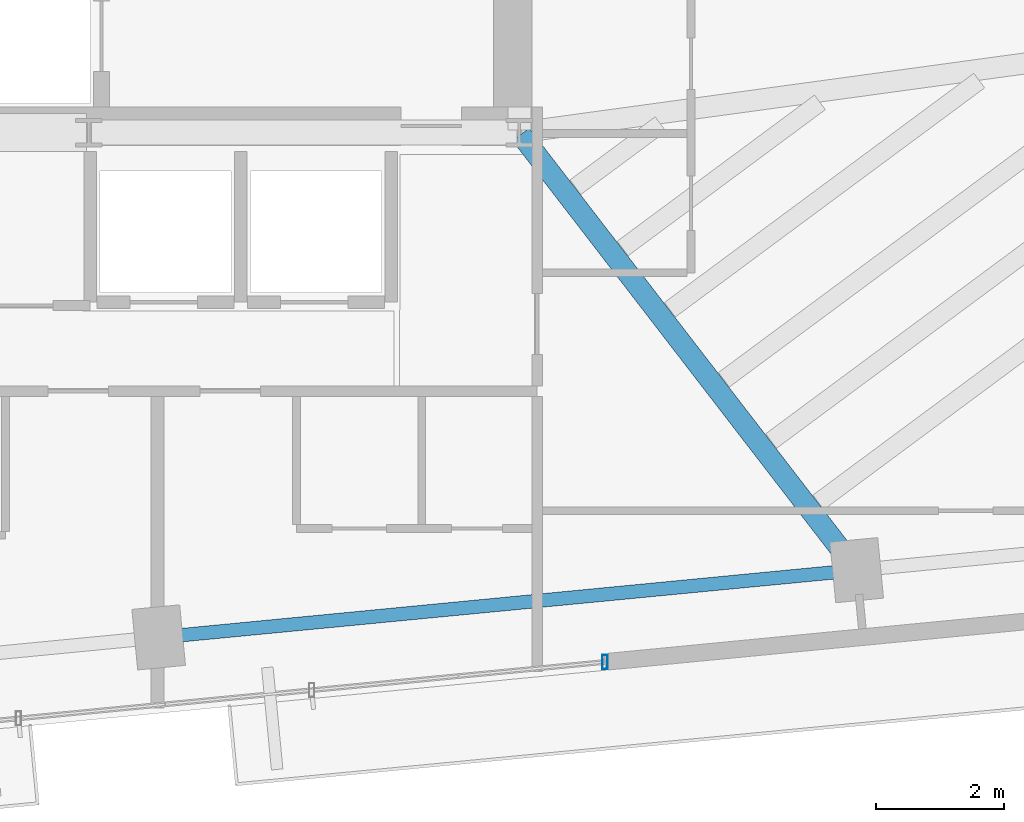
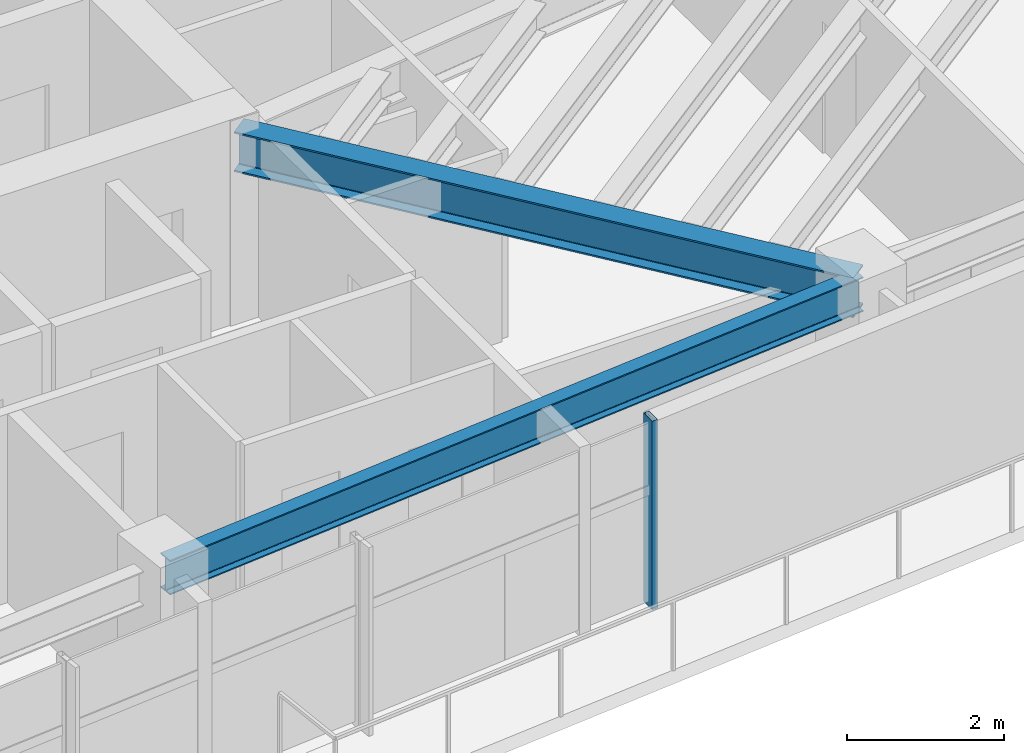
# One storey, part 8 of 18: 2 beams, 1 member, 1 element without a shape of its own.
"""IFC4 building model written with IfcOpenShell, lengths in metres."""

from ifc_helpers import new_model, si_unit, direction, frame, origin, origin_2d, place, context, subcontext, project, spatial, hollow_rectangle, i_section, extrude, source, transform, mapped, material, material_profile, profile_set, type_object, type_shapes, element, aggregate, save


model = new_model("IFC4")

# Units and contexts
model_context = context("Model", 3, precision=1e-05, world=origin(), true_north=direction((0.0, 1.0)))
body_context = subcontext(model_context, "Body", "Model", "MODEL_VIEW")
ifc_project = project(units=[si_unit("LENGTHUNIT", "METRE"), si_unit("AREAUNIT", "SQUARE_METRE"), si_unit("VOLUMEUNIT", "CUBIC_METRE"), si_unit("PLANEANGLEUNIT", "RADIAN"), si_unit("MASSUNIT", "GRAM", prefix="KILO")], contexts=[model_context])

# Site, building, storey
site_placement = place(None, origin())
site = spatial("IfcSite", under=ifc_project, at=site_placement, CompositionType="ELEMENT")
building_placement = place(site_placement, origin())
building = spatial("IfcBuilding", under=site, at=building_placement, Name="Astriad Promenade Condominiums", CompositionType="ELEMENT")
storey_placement = place(building_placement, frame((0.0, 0.0, 201.800048828125)))
storey = spatial("IfcBuildingStorey", under=building, at=storey_placement, Name="L58", CompositionType="ELEMENT", Elevation=201.800048828125)

# Beams
ifc_material_1 = material(Name="Steel ASTM A992 Grade 50", Category="steel")
ifc_material_profile_1 = material_profile(ifc_material_1, i_section(OverallWidth=0.210693359375, OverallDepth=0.53955078125, WebThickness=0.01171875, FlangeThickness=0.018798828125, FilletRadius=0.0166015625, at=origin_2d()), Name="W21X73")
ifc_profile_set_1 = profile_set([ifc_material_profile_1], Name="Steel ASTM A992 Grade 50")
beam_type_1 = type_object("IfcBeamType", Name="STEEL SPANDREL BEAM W21X73", PredefinedType="SPANDREL", material=ifc_profile_set_1)
shared_shape_1 = source(origin(), body_context, "Body", "SweptSolid", [
    extrude(i_section(OverallWidth=0.210693359375, OverallDepth=0.53955078125, WebThickness=0.01171875, FlangeThickness=0.018798828125, FilletRadius=0.0166015625, at=origin_2d()), origin(), (0.0, 0.0, 1.0), 10.8701171875),
])
type_shapes(beam_type_1, [shared_shape_1])
beam_1_placement = place(storey_placement, frame((40.008544921875, 9.520751953125, 2.670166015625), z_axis=(0.995397128983, 0.095836087217, 0.0), x_axis=(-0.095836087217, 0.995397128983, 0.0)))
element("IfcBeam", 1, at=beam_1_placement, inside=storey, type_object=beam_type_1, Name="Perimeter Spandrel Beam SP-S3-L58", PredefinedType="SPANDREL", context=body_context, shape_type="MappedRepresentation", body=[
    mapped(shared_shape_1, transform((0.0, 0.0, 0.0), scale=1.0)),
])
ifc_material_profile_2 = material_profile(ifc_material_1, i_section(OverallWidth=0.326416015625, OverallDepth=0.621826171875, WebThickness=0.015380859375, FlangeThickness=0.0244140625, FilletRadius=0.017822265625, at=origin_2d()), Name="W24X131")
ifc_profile_set_2 = profile_set([ifc_material_profile_2], Name="Steel ASTM A992 Grade 50")
beam_type_2 = type_object("IfcBeamType", Name="STEEL FLOOR GIRDER W24X131", PredefinedType="BEAM", material=ifc_profile_set_2)
shared_shape_2 = source(origin(), body_context, "Body", "SweptSolid", [
    extrude(i_section(OverallWidth=0.326416015625, OverallDepth=0.621826171875, WebThickness=0.015380859375, FlangeThickness=0.0244140625, FilletRadius=0.017822265625, at=origin_2d()), origin(), (0.0, 0.0, 1.0), 8.548583984375),
])
type_shapes(beam_type_2, [shared_shape_2])
beam_2_placement = place(storey_placement, frame((50.843994140625, 10.59814453125, 2.629150390625), z_axis=(-0.610561975536, 0.791968480452, 0.0), x_axis=(-0.791968480452, -0.610561975536, 0.0)))
element("IfcBeam", 2, at=beam_2_placement, inside=storey, type_object=beam_type_2, Name="Primary Floor Girder PG-E2-L58", PredefinedType="BEAM", context=body_context, shape_type="MappedRepresentation", body=[
    mapped(shared_shape_2, transform((0.0, 0.0, 0.0), scale=1.0)),
])

# Curtain wall, member
ifc_material_2 = material(Name="Anodised aluminium Black Dark Glass Unitised", Category="aluminium")
curtain_wall_type = type_object("IfcCurtainWallType", Name="CW-B34-DARK", PredefinedType="USERDEFINED", material=ifc_material_2)
curtain_wall_placement = place(storey_placement, origin())
curtain_wall = element("IfcCurtainWall", 3, at=curtain_wall_placement, inside=storey, type_object=curtain_wall_type, Name="CW-L58-S", ObjectType="UNITISED_CURTAIN_WALL", PredefinedType="USERDEFINED")
ifc_material_3 = material(Name="Anodised aluminium 6063-T6 Black", Category="aluminium")
ifc_material_profile_3 = material_profile(ifc_material_3, hollow_rectangle(XDim=0.0849609375, YDim=0.219970703125, WallThickness=0.0048828125, at=origin_2d()), Name="ALU-MUL-85X220")
ifc_profile_set_3 = profile_set([ifc_material_profile_3], Name="Anodised aluminium 6063-T6 Black")
member_type = type_object("IfcMemberType", Name="MUL-ALU-MUL-85X220", PredefinedType="MULLION", material=ifc_profile_set_3)
shared_shape_3 = source(origin(), body_context, "Body", "SweptSolid", [
    extrude(hollow_rectangle(XDim=0.0849609375, YDim=0.219970703125, WallThickness=0.0048828125, at=origin_2d()), origin(), (0.0, 0.0, 1.0), 2.93994140625),
])
type_shapes(member_type, [shared_shape_3])
member_placement = place(storey_placement, frame((46.9375, 9.133056640625, 0.0), z_axis=(0.0, 0.0, 1.0), x_axis=(1.0, 0.0, 0.0)))
member = element("IfcMember", 4, at=member_placement, type_object=member_type, Name="CW-L58-S-MUL-00", PredefinedType="MULLION", context=body_context, shape_type="MappedRepresentation", body=[
    mapped(shared_shape_3, transform((0.0, 0.0, 0.0), scale=1.0)),
])
aggregate(curtain_wall, [member])

save(model, "model.ifc")
